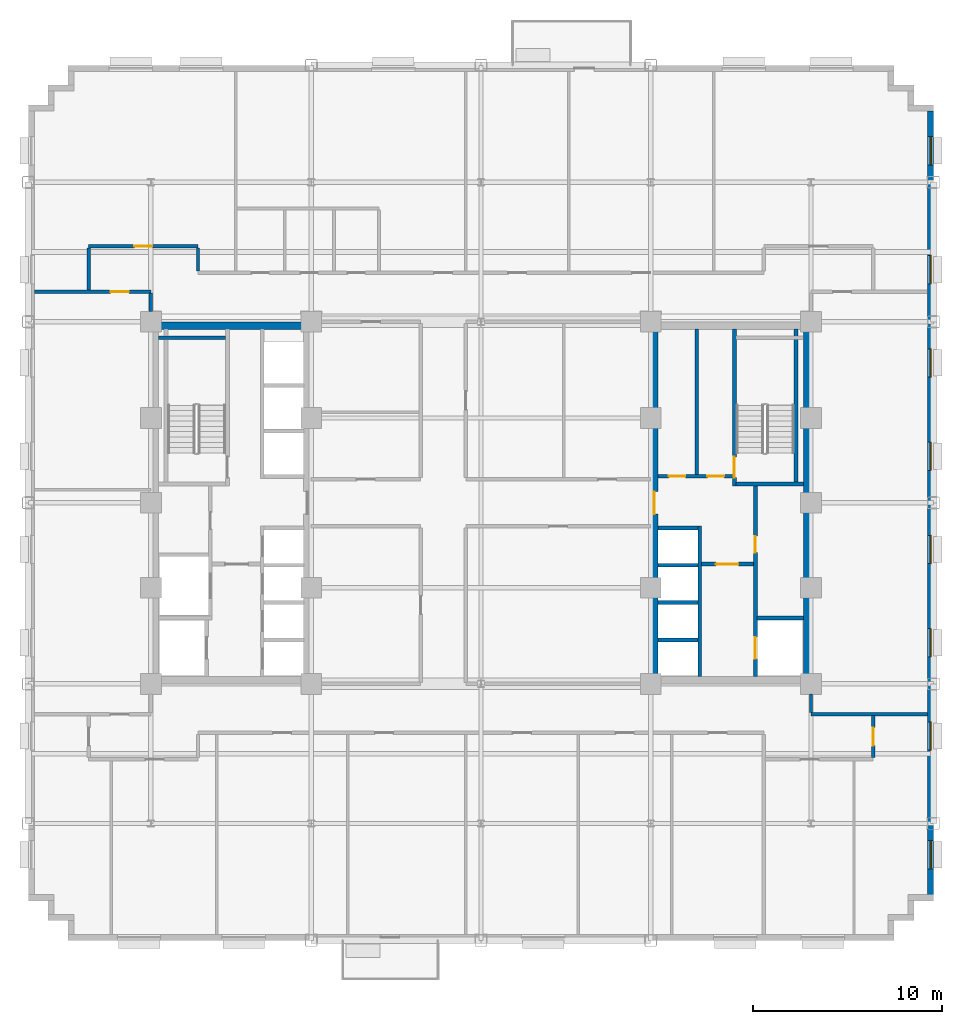
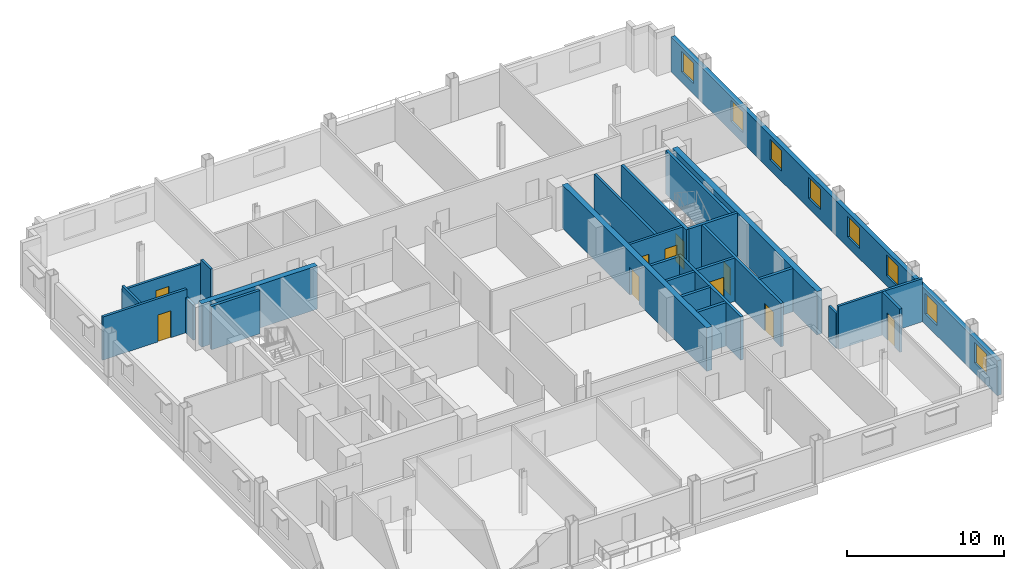
# One storey, part 8 of 14: 26 walls, 10 doors, 8 windows, 18 openings.
"""IFC4 building model written with IfcOpenShell, lengths in metres."""

from ifc_helpers import new_model, si_unit, direction, frame, frame_2d, origin, place, context, subcontext, project, spatial, rectangle, extrude, source, transform, mapped, material, layer, layer_set, type_object, type_shapes, element, fill, save


model = new_model("IFC4")

# Units and contexts
model_context = context("Model", 3, precision=1e-05, world=origin(), true_north=direction((0.0, 1.0)))
body_context = subcontext(model_context, "Body", "Model", "MODEL_VIEW")
ifc_project = project(units=[si_unit("LENGTHUNIT", "METRE"), si_unit("AREAUNIT", "SQUARE_METRE"), si_unit("VOLUMEUNIT", "CUBIC_METRE"), si_unit("PLANEANGLEUNIT", "RADIAN"), si_unit("MASSUNIT", "GRAM", prefix="KILO")], contexts=[model_context])

# Site, building, storey
site_placement = place(None, origin())
site = spatial("IfcSite", under=ifc_project, at=site_placement, CompositionType="ELEMENT")
building_placement = place(site_placement, origin())
building = spatial("IfcBuilding", under=site, at=building_placement, Name="Nuvemarco Arch Tower", CompositionType="ELEMENT")
storey_placement = place(building_placement, frame((0.0, 0.0, 105.60009765625)))
storey = spatial("IfcBuildingStorey", under=building, at=storey_placement, Name="L27", CompositionType="ELEMENT", Elevation=105.60009765625)

# Wall, openings, windows
ifc_material_1 = material(Name="Precast concrete C45/55", Category="concrete")
ifc_layer_1 = layer(ifc_material_1, 0.320068359375, Name="EW-MID-320")
ifc_layer_set_1 = layer_set([ifc_layer_1], Name="Precast concrete C45/55")
wall_type_1 = type_object("IfcWallType", Name="EW-MID-320", PredefinedType="STANDARD", material=ifc_layer_set_1)
wall_1_placement = place(storey_placement, frame((23.840087890625, -20.783935546875, 0.0), z_axis=(0.0, 0.0, 1.0), x_axis=(0.0, 1.0, 0.0)))
wall_1 = element("IfcWall", 1, at=wall_1_placement, inside=storey, type_object=wall_type_1, Name="L27 exterior precast facade wall 6", PredefinedType="STANDARD", context=body_context, shape_type="SweptSolid", body=[
    extrude(rectangle(XDim=41.56787109375, YDim=0.320068359375, at=frame_2d((20.783935546875, 0.0))), origin(), (0.0, 0.0, 1.0), 2.704833984375),
])
opening_1_placement = place(wall_1_placement, frame((1.373046875, 0.0, 0.800048828125)))
opening_1 = element("IfcOpeningElement", 2, at=opening_1_placement, cuts=wall_1, Name="Opening WN-11", PredefinedType="OPENING", context=body_context, shape_type="SweptSolid", body=[
    extrude(rectangle(XDim=1.5, YDim=1.60009765625, at=frame_2d((0.75, 0.800048828125))), frame((0.0, 0.169921875, 0.0), z_axis=(0.0, -1.0, 0.0), x_axis=(1.0, 0.0, 0.0)), (0.0, 0.0, 1.0), 0.340087890625),
])
opening_2_placement = place(wall_1_placement, frame((7.6689453125, 0.0, 0.800048828125)))
opening_2 = element("IfcOpeningElement", 3, at=opening_2_placement, cuts=wall_1, Name="Opening WN-11", PredefinedType="OPENING", context=body_context, shape_type="SweptSolid", body=[
    extrude(rectangle(XDim=1.5, YDim=1.60009765625, at=frame_2d((0.75, 0.800048828125))), frame((0.0, 0.169921875, 0.0), z_axis=(0.0, -1.0, 0.0), x_axis=(1.0, 0.0, 0.0)), (0.0, 0.0, 1.0), 0.340087890625),
])
opening_3_placement = place(wall_1_placement, frame((12.614990234375, 0.0, 0.800048828125)))
opening_3 = element("IfcOpeningElement", 4, at=opening_3_placement, cuts=wall_1, Name="Opening WN-11", PredefinedType="OPENING", context=body_context, shape_type="SweptSolid", body=[
    extrude(rectangle(XDim=1.5, YDim=1.60009765625, at=frame_2d((0.75, 0.800048828125))), frame((0.0, 0.169921875, 0.0), z_axis=(0.0, -1.0, 0.0), x_axis=(1.0, 0.0, 0.0)), (0.0, 0.0, 1.0), 0.340087890625),
])
opening_4_placement = place(wall_1_placement, frame((17.56103515625, 0.0, 0.800048828125)))
opening_4 = element("IfcOpeningElement", 5, at=opening_4_placement, cuts=wall_1, Name="Opening WN-11", PredefinedType="OPENING", context=body_context, shape_type="SweptSolid", body=[
    extrude(rectangle(XDim=1.5, YDim=1.60009765625, at=frame_2d((0.75, 0.800048828125))), frame((0.0, 0.169921875, 0.0), z_axis=(0.0, -1.0, 0.0), x_axis=(1.0, 0.0, 0.0)), (0.0, 0.0, 1.0), 0.340087890625),
])
opening_5_placement = place(wall_1_placement, frame((22.507080078125, 0.0, 0.800048828125)))
opening_5 = element("IfcOpeningElement", 6, at=opening_5_placement, cuts=wall_1, Name="Opening WN-11", PredefinedType="OPENING", context=body_context, shape_type="SweptSolid", body=[
    extrude(rectangle(XDim=1.5, YDim=1.60009765625, at=frame_2d((0.75, 0.800048828125))), frame((0.0, 0.169921875, 0.0), z_axis=(0.0, -1.0, 0.0), x_axis=(1.0, 0.0, 0.0)), (0.0, 0.0, 1.0), 0.340087890625),
])
opening_6_placement = place(wall_1_placement, frame((27.452880859375, 0.0, 0.800048828125)))
opening_6 = element("IfcOpeningElement", 7, at=opening_6_placement, cuts=wall_1, Name="Opening WN-11", PredefinedType="OPENING", context=body_context, shape_type="SweptSolid", body=[
    extrude(rectangle(XDim=1.5, YDim=1.60009765625, at=frame_2d((0.75, 0.800048828125))), frame((0.0, 0.169921875, 0.0), z_axis=(0.0, -1.0, 0.0), x_axis=(1.0, 0.0, 0.0)), (0.0, 0.0, 1.0), 0.340087890625),
])
opening_7_placement = place(wall_1_placement, frame((32.39892578125, 0.0, 0.800048828125)))
opening_7 = element("IfcOpeningElement", 8, at=opening_7_placement, cuts=wall_1, Name="Opening WN-11", PredefinedType="OPENING", context=body_context, shape_type="SweptSolid", body=[
    extrude(rectangle(XDim=1.5, YDim=1.60009765625, at=frame_2d((0.75, 0.800048828125))), frame((0.0, 0.169921875, 0.0), z_axis=(0.0, -1.0, 0.0), x_axis=(1.0, 0.0, 0.0)), (0.0, 0.0, 1.0), 0.340087890625),
])
opening_8_placement = place(wall_1_placement, frame((38.695068359375, 0.0, 0.800048828125)))
opening_8 = element("IfcOpeningElement", 9, at=opening_8_placement, cuts=wall_1, Name="Opening WN-11", PredefinedType="OPENING", context=body_context, shape_type="SweptSolid", body=[
    extrude(rectangle(XDim=1.5, YDim=1.60009765625, at=frame_2d((0.75, 0.800048828125))), frame((0.0, 0.169921875, 0.0), z_axis=(0.0, -1.0, 0.0), x_axis=(1.0, 0.0, 0.0)), (0.0, 0.0, 1.0), 0.340087890625),
])
ifc_material_2 = material(Name="Insulated solar-control glass", Category="glass")
window_type = type_object("IfcWindowType", Name="WN-STEP-1500x1850", PartitioningType="SINGLE_PANEL", PredefinedType="WINDOW", material=ifc_material_2)
shared_shape_1 = source(origin(), body_context, "Body", "SweptSolid", [
    extrude(rectangle(XDim=1.5, YDim=1.60009765625, at=frame_2d((0.75, 0.800048828125))), frame((0.0, 0.030029296875, 0.0), z_axis=(0.0, -1.0, 0.0), x_axis=(1.0, 0.0, 0.0)), (0.0, 0.0, 1.0), 0.06005859375),
])
type_shapes(window_type, [shared_shape_1])
window_1_placement = place(opening_1_placement, origin())
window_1 = element("IfcWindow", 10, at=window_1_placement, inside=storey, type_object=window_type, Name="L27 punched facade window 1", OverallHeight=1.60009765625, OverallWidth=1.5, PartitioningType="SINGLE_PANEL", PredefinedType="WINDOW", context=body_context, shape_type="MappedRepresentation", body=[
    mapped(shared_shape_1, transform((0.0, 0.0, 0.0), scale=1.0)),
])
fill(opening_1, window_1)
window_2_placement = place(opening_2_placement, origin())
window_2 = element("IfcWindow", 11, at=window_2_placement, inside=storey, type_object=window_type, Name="L27 punched facade window 2", OverallHeight=1.60009765625, OverallWidth=1.5, PartitioningType="SINGLE_PANEL", PredefinedType="WINDOW", context=body_context, shape_type="MappedRepresentation", body=[
    mapped(shared_shape_1, transform((0.0, 0.0, 0.0), scale=1.0)),
])
fill(opening_2, window_2)
window_3_placement = place(opening_3_placement, origin())
window_3 = element("IfcWindow", 12, at=window_3_placement, inside=storey, type_object=window_type, Name="L27 punched facade window 3", OverallHeight=1.60009765625, OverallWidth=1.5, PartitioningType="SINGLE_PANEL", PredefinedType="WINDOW", context=body_context, shape_type="MappedRepresentation", body=[
    mapped(shared_shape_1, transform((0.0, 0.0, 0.0), scale=1.0)),
])
fill(opening_3, window_3)
window_4_placement = place(opening_4_placement, origin())
window_4 = element("IfcWindow", 13, at=window_4_placement, inside=storey, type_object=window_type, Name="L27 punched facade window 4", OverallHeight=1.60009765625, OverallWidth=1.5, PartitioningType="SINGLE_PANEL", PredefinedType="WINDOW", context=body_context, shape_type="MappedRepresentation", body=[
    mapped(shared_shape_1, transform((0.0, 0.0, 0.0), scale=1.0)),
])
fill(opening_4, window_4)
window_5_placement = place(opening_5_placement, origin())
window_5 = element("IfcWindow", 14, at=window_5_placement, inside=storey, type_object=window_type, Name="L27 punched facade window 5", OverallHeight=1.60009765625, OverallWidth=1.5, PartitioningType="SINGLE_PANEL", PredefinedType="WINDOW", context=body_context, shape_type="MappedRepresentation", body=[
    mapped(shared_shape_1, transform((0.0, 0.0, 0.0), scale=1.0)),
])
fill(opening_5, window_5)
window_6_placement = place(opening_6_placement, origin())
window_6 = element("IfcWindow", 15, at=window_6_placement, inside=storey, type_object=window_type, Name="L27 punched facade window 6", OverallHeight=1.60009765625, OverallWidth=1.5, PartitioningType="SINGLE_PANEL", PredefinedType="WINDOW", context=body_context, shape_type="MappedRepresentation", body=[
    mapped(shared_shape_1, transform((0.0, 0.0, 0.0), scale=1.0)),
])
fill(opening_6, window_6)
window_7_placement = place(opening_7_placement, origin())
window_7 = element("IfcWindow", 16, at=window_7_placement, inside=storey, type_object=window_type, Name="L27 punched facade window 7", OverallHeight=1.60009765625, OverallWidth=1.5, PartitioningType="SINGLE_PANEL", PredefinedType="WINDOW", context=body_context, shape_type="MappedRepresentation", body=[
    mapped(shared_shape_1, transform((0.0, 0.0, 0.0), scale=1.0)),
])
fill(opening_7, window_7)
window_8_placement = place(opening_8_placement, origin())
window_8 = element("IfcWindow", 17, at=window_8_placement, inside=storey, type_object=window_type, Name="L27 punched facade window 8", OverallHeight=1.60009765625, OverallWidth=1.5, PartitioningType="SINGLE_PANEL", PredefinedType="WINDOW", context=body_context, shape_type="MappedRepresentation", body=[
    mapped(shared_shape_1, transform((0.0, 0.0, 0.0), scale=1.0)),
])
fill(opening_8, window_8)

# Wall
ifc_material_3 = material(Name="Concrete C60/75", Category="concrete")
ifc_layer_2 = layer(ifc_material_3, 0.39990234375, Name="WL-CORE-400")
ifc_layer_set_2 = layer_set([ifc_layer_2], Name="Concrete C60/75")
wall_type_2 = type_object("IfcWallType", Name="WL-CORE-400", PredefinedType="SHEAR", material=ifc_layer_set_2)
wall_2_placement = place(storey_placement, frame((-17.5, 9.39990234375, 0.0), z_axis=(0.0, 0.0, 1.0), x_axis=(1.0, 0.0, 0.0)))
element("IfcWall", 18, at=wall_2_placement, inside=storey, type_object=wall_type_2, Name="L27 W-core shear wall N", PredefinedType="SHEAR", context=body_context, shape_type="SweptSolid", body=[
    extrude(rectangle(XDim=8.5, YDim=0.39990234375, at=frame_2d((4.25, 0.0))), origin(), (0.0, 0.0, 1.0), 3.369873046875),
])

# Wall, opening, door
wall_3_placement = place(storey_placement, frame((9.199951171875, -9.205078125, 0.0), z_axis=(0.0, 0.0, 1.0), x_axis=(0.0, 1.0, 0.0)))
wall_3 = element("IfcWall", 19, at=wall_3_placement, inside=storey, type_object=wall_type_2, Name="L27 E-core shear wall W", PredefinedType="SHEAR", context=body_context, shape_type="SweptSolid", body=[
    extrude(rectangle(XDim=18.41015625, YDim=0.39990234375, at=frame_2d((9.205078125, 0.0))), origin(), (0.0, 0.0, 1.0), 3.369873046875),
])
opening_9_placement = place(wall_3_placement, frame((8.60498046875, 0.0, 0.0)))
opening_9 = element("IfcOpeningElement", 20, at=opening_9_placement, cuts=wall_3, Name="Opening FD-2", PredefinedType="OPENING", context=body_context, shape_type="SweptSolid", body=[
    extrude(rectangle(XDim=1.199951171875, YDim=2.14990234375, at=frame_2d((0.60009765625, 1.074951171875))), frame((0.0, 0.2099609375, 0.0), z_axis=(0.0, -1.0, 0.0), x_axis=(1.0, 0.0, 0.0)), (0.0, 0.0, 1.0), 0.419921875),
])
ifc_material_4 = material(Name="Anodised steel fire door", Category="steel")
door_type_1 = type_object("IfcDoorType", Name="DR-FFLOB-FD", OperationType="NOTDEFINED", PredefinedType="DOOR", material=ifc_material_4)
shared_shape_2 = source(origin(), body_context, "Body", "SweptSolid", [
    extrude(rectangle(XDim=1.199951171875, YDim=2.14990234375, at=frame_2d((0.60009765625, 1.074951171875))), frame((0.0, 0.02490234375, 0.0), z_axis=(0.0, -1.0, 0.0), x_axis=(1.0, 0.0, 0.0)), (0.0, 0.0, 1.0), 0.050048828125),
])
type_shapes(door_type_1, [shared_shape_2])
door_1_placement = place(opening_9_placement, origin())
door_1 = element("IfcDoor", 21, at=door_1_placement, inside=storey, type_object=door_type_1, Name="L27 door FD-L27-ECORE-W", OperationType="SINGLE_SWING_LEFT", OverallHeight=2.14990234375, OverallWidth=1.199951171875, PredefinedType="DOOR", context=body_context, shape_type="MappedRepresentation", body=[
    mapped(shared_shape_2, transform((0.0, 0.0, 0.0), scale=1.0)),
])
fill(opening_9, door_1)

# Wall
wall_4_placement = place(storey_placement, frame((17.300048828125, -9.205078125, 0.0), z_axis=(0.0, 0.0, 1.0), x_axis=(0.0, 1.0, 0.0)))
element("IfcWall", 22, at=wall_4_placement, inside=storey, type_object=wall_type_2, Name="L27 E-core shear wall E", PredefinedType="SHEAR", context=body_context, shape_type="SweptSolid", body=[
    extrude(rectangle(XDim=18.41015625, YDim=0.39990234375, at=frame_2d((9.205078125, 0.0))), origin(), (0.0, 0.0, 1.0), 3.369873046875),
])

# Wall, openings, doors
ifc_material_5 = material(Name="Fire-rated gypsum drywall partition")
ifc_layer_3 = layer(ifc_material_5, 0.179931640625, Name="WL-CORR-180")
ifc_layer_set_3 = layer_set([ifc_layer_3], Name="Fire-rated gypsum drywall partition")
wall_type_3 = type_object("IfcWallType", Name="WL-CORR-180", PredefinedType="PARTITIONING", material=ifc_layer_set_3)
wall_5_placement = place(storey_placement, frame((9.39501953125, 1.39990234375, 0.0), z_axis=(0.0, 0.0, 1.0), x_axis=(1.0, 0.0, 0.0)))
wall_5 = element("IfcWall", 23, at=wall_5_placement, inside=storey, type_object=wall_type_3, Name="L27 interior wall IW-L27-EK-S", PredefinedType="PARTITIONING", context=body_context, shape_type="SweptSolid", body=[
    extrude(rectangle(XDim=3.949951171875, YDim=0.179931640625, at=frame_2d((1.97509765625, 0.0))), origin(), (0.0, 0.0, 1.0), 3.35986328125),
])
opening_10_placement = place(wall_5_placement, frame((0.56494140625, 0.0, 0.0)))
opening_10 = element("IfcOpeningElement", 24, at=opening_10_placement, cuts=wall_5, Name="Opening FD-4", PredefinedType="OPENING", context=body_context, shape_type="SweptSolid", body=[
    extrude(rectangle(XDim=0.8798828125, YDim=2.10009765625, at=frame_2d((0.43994140625, 1.050048828125))), frame((0.0, 0.099853515625, 0.0), z_axis=(0.0, -1.0, 0.0), x_axis=(1.0, 0.0, 0.0)), (0.0, 0.0, 1.0), 0.199951171875),
])
opening_11_placement = place(wall_5_placement, frame((2.614990234375, 0.0, 0.0)))
opening_11 = element("IfcOpeningElement", 25, at=opening_11_placement, cuts=wall_5, Name="Opening FD-4", PredefinedType="OPENING", context=body_context, shape_type="SweptSolid", body=[
    extrude(rectangle(XDim=0.8798828125, YDim=2.10009765625, at=frame_2d((0.43994140625, 1.050048828125))), frame((0.0, 0.099853515625, 0.0), z_axis=(0.0, -1.0, 0.0), x_axis=(1.0, 0.0, 0.0)), (0.0, 0.0, 1.0), 0.199951171875),
])
door_type_2 = type_object("IfcDoorType", Name="DR-RISER-FD", OperationType="NOTDEFINED", PredefinedType="DOOR", material=ifc_material_4)
shared_shape_3 = source(origin(), body_context, "Body", "SweptSolid", [
    extrude(rectangle(XDim=0.8798828125, YDim=2.10009765625, at=frame_2d((0.43994140625, 1.050048828125))), frame((0.0, 0.02490234375, 0.0), z_axis=(0.0, -1.0, 0.0), x_axis=(1.0, 0.0, 0.0)), (0.0, 0.0, 1.0), 0.050048828125),
])
type_shapes(door_type_2, [shared_shape_3])
door_2_placement = place(opening_10_placement, origin())
door_2 = element("IfcDoor", 26, at=door_2_placement, inside=storey, type_object=door_type_2, Name="L27 door FD-L27-EK2A", OperationType="SINGLE_SWING_RIGHT", OverallHeight=2.10009765625, OverallWidth=0.8798828125, PredefinedType="DOOR", context=body_context, shape_type="MappedRepresentation", body=[
    mapped(shared_shape_3, transform((0.0, 0.0, 0.0), scale=1.0)),
])
fill(opening_10, door_2)
door_3_placement = place(opening_11_placement, origin())
door_3 = element("IfcDoor", 27, at=door_3_placement, inside=storey, type_object=door_type_2, Name="L27 door FD-L27-EK2B", OperationType="SINGLE_SWING_LEFT", OverallHeight=2.10009765625, OverallWidth=0.8798828125, PredefinedType="DOOR", context=body_context, shape_type="MappedRepresentation", body=[
    mapped(shared_shape_3, transform((0.0, 0.0, 0.0), scale=1.0)),
])
fill(opening_11, door_3)

# Walls
wall_6_placement = place(storey_placement, frame((11.449951171875, 1.489990234375, 0.0), z_axis=(0.0, 0.0, 1.0), x_axis=(0.0, 1.0, 0.0)))
element("IfcWall", 28, at=wall_6_placement, inside=storey, type_object=wall_type_3, Name="L27 interior wall IW-L27-EK2", PredefinedType="PARTITIONING", context=body_context, shape_type="SweptSolid", body=[
    extrude(rectangle(XDim=7.715087890625, YDim=0.179931640625, at=frame_2d((3.857421875, 0.0))), origin(), (0.0, 0.0, 1.0), 3.35986328125),
])
wall_7_placement = place(storey_placement, frame((17.5, -11.199951171875, 0.0), z_axis=(0.0, 0.0, 1.0), x_axis=(1.0, 0.0, 0.0)))
element("IfcWall", 29, at=wall_7_placement, inside=storey, type_object=wall_type_3, Name="L27 interior wall IW-L27-005", PredefinedType="PARTITIONING", context=body_context, shape_type="SweptSolid", body=[
    extrude(rectangle(XDim=6.179931640625, YDim=0.179931640625, at=frame_2d((3.08984375, 0.0))), origin(), (0.0, 0.0, 1.0), 3.35986328125),
])

# Wall, opening, door
wall_8_placement = place(storey_placement, frame((-23.679931640625, 11.199951171875, 0.0), z_axis=(0.0, 0.0, 1.0), x_axis=(1.0, 0.0, 0.0)))
wall_8 = element("IfcWall", 30, at=wall_8_placement, inside=storey, type_object=wall_type_3, Name="L27 interior wall IW-L27-018", PredefinedType="PARTITIONING", context=body_context, shape_type="SweptSolid", body=[
    extrude(rectangle(XDim=6.179931640625, YDim=0.179931640625, at=frame_2d((3.08984375, 0.0))), origin(), (0.0, 0.0, 1.0), 3.35986328125),
])
opening_12_placement = place(wall_8_placement, frame((4.050048828125, 0.0, 0.0)))
opening_12 = element("IfcOpeningElement", 31, at=opening_12_placement, cuts=wall_8, Name="Opening FD-5", PredefinedType="OPENING", context=body_context, shape_type="SweptSolid", body=[
    extrude(rectangle(XDim=0.9599609375, YDim=2.10009765625, at=frame_2d((0.47998046875, 1.050048828125))), frame((0.0, 0.099853515625, 0.0), z_axis=(0.0, -1.0, 0.0), x_axis=(1.0, 0.0, 0.0)), (0.0, 0.0, 1.0), 0.199951171875),
])
ifc_material_6 = material(Name="Timber fire door", Category="wood")
door_type_3 = type_object("IfcDoorType", Name="DR-CORR-FD", OperationType="NOTDEFINED", PredefinedType="DOOR", material=ifc_material_6)
shared_shape_4 = source(origin(), body_context, "Body", "SweptSolid", [
    extrude(rectangle(XDim=0.9599609375, YDim=2.10009765625, at=frame_2d((0.47998046875, 1.050048828125))), frame((0.0, 0.02490234375, 0.0), z_axis=(0.0, -1.0, 0.0), x_axis=(1.0, 0.0, 0.0)), (0.0, 0.0, 1.0), 0.050048828125),
])
type_shapes(door_type_3, [shared_shape_4])
door_4_placement = place(opening_12_placement, origin())
door_4 = element("IfcDoor", 32, at=door_4_placement, inside=storey, type_object=door_type_3, Name="L27 door DR-L27-W_2", OperationType="SINGLE_SWING_RIGHT", OverallHeight=2.10009765625, OverallWidth=0.9599609375, PredefinedType="DOOR", context=body_context, shape_type="MappedRepresentation", body=[
    mapped(shared_shape_4, transform((0.0, 0.0, 0.0), scale=1.0)),
])
fill(opening_12, door_4)

wall_9_placement = place(storey_placement, frame((-20.800048828125, 13.60009765625, 0.0), z_axis=(0.0, 0.0, 1.0), x_axis=(1.0, 0.0, 0.0)))
wall_9 = element("IfcWall", 33, at=wall_9_placement, inside=storey, type_object=wall_type_3, Name="L27 interior wall IW-L27-021", PredefinedType="PARTITIONING", context=body_context, shape_type="SweptSolid", body=[
    extrude(rectangle(XDim=5.800048828125, YDim=0.179931640625, at=frame_2d((2.89990234375, 0.0))), origin(), (0.0, 0.0, 1.0), 2.997802734375),
])
opening_13_placement = place(wall_9_placement, frame((2.419921875, 0.0, 0.0)))
opening_13 = element("IfcOpeningElement", 34, at=opening_13_placement, cuts=wall_9, Name="Opening FD-5", PredefinedType="OPENING", context=body_context, shape_type="SweptSolid", body=[
    extrude(rectangle(XDim=0.9599609375, YDim=2.10009765625, at=frame_2d((0.47998046875, 1.050048828125))), frame((0.0, 0.099853515625, 0.0), z_axis=(0.0, -1.0, 0.0), x_axis=(1.0, 0.0, 0.0)), (0.0, 0.0, 1.0), 0.199951171875),
])
door_5_placement = place(opening_13_placement, origin())
door_5 = element("IfcDoor", 35, at=door_5_placement, inside=storey, type_object=door_type_3, Name="L27 door DR-L27-N_1", OperationType="SINGLE_SWING_RIGHT", OverallHeight=2.10009765625, OverallWidth=0.9599609375, PredefinedType="DOOR", context=body_context, shape_type="MappedRepresentation", body=[
    mapped(shared_shape_4, transform((0.0, 0.0, 0.0), scale=1.0)),
])
fill(opening_13, door_5)

# Walls
wall_10_placement = place(storey_placement, frame((-20.800048828125, 11.285888671875, 0.0), z_axis=(0.0, 0.0, 1.0), x_axis=(0.0, 1.0, 0.0)))
element("IfcWall", 36, at=wall_10_placement, inside=storey, type_object=wall_type_3, Name="L27 interior wall IW-L27-025", PredefinedType="PARTITIONING", context=body_context, shape_type="SweptSolid", body=[
    extrude(rectangle(XDim=2.22802734375, YDim=0.179931640625, at=frame_2d((1.114013671875, 0.0))), origin(), (0.0, 0.0, 1.0), 3.35986328125),
])
wall_11_placement = place(storey_placement, frame((-17.5, 10.14599609375, 0.0), z_axis=(0.0, 0.0, 1.0), x_axis=(0.0, 1.0, 0.0)))
element("IfcWall", 37, at=wall_11_placement, inside=storey, type_object=wall_type_3, Name="L27 interior wall IW-L27-028", PredefinedType="PARTITIONING", context=body_context, shape_type="SweptSolid", body=[
    extrude(rectangle(XDim=0.968017578125, YDim=0.179931640625, at=frame_2d((0.48388671875, 0.0))), origin(), (0.0, 0.0, 1.0), 2.73779296875),
])
wall_12_placement = place(storey_placement, frame((-15.0, 12.285888671875, 0.0), z_axis=(0.0, 0.0, 1.0), x_axis=(0.0, 1.0, 0.0)))
element("IfcWall", 38, at=wall_12_placement, inside=storey, type_object=wall_type_3, Name="L27 interior wall IW-L27-030", PredefinedType="PARTITIONING", context=body_context, shape_type="SweptSolid", body=[
    extrude(rectangle(XDim=1.22802734375, YDim=0.179931640625, at=frame_2d((0.614013671875, 0.0))), origin(), (0.0, 0.0, 1.0), 3.35986328125),
])
wall_13_placement = place(storey_placement, frame((17.5, -11.114013671875, 0.0), z_axis=(0.0, 0.0, 1.0), x_axis=(0.0, 1.0, 0.0)))
element("IfcWall", 39, at=wall_13_placement, inside=storey, type_object=wall_type_3, Name="L27 interior wall IW-L27-050", PredefinedType="PARTITIONING", context=body_context, shape_type="SweptSolid", body=[
    extrude(rectangle(XDim=0.968017578125, YDim=0.179931640625, at=frame_2d((0.48388671875, 0.0))), origin(), (0.0, 0.0, 1.0), 2.73779296875),
])

# Wall, opening, door
wall_14_placement = place(storey_placement, frame((20.800048828125, -13.513916015625, 0.0), z_axis=(0.0, 0.0, 1.0), x_axis=(0.0, 1.0, 0.0)))
wall_14 = element("IfcWall", 40, at=wall_14_placement, inside=storey, type_object=wall_type_3, Name="L27 interior wall IW-L27-053", PredefinedType="PARTITIONING", context=body_context, shape_type="SweptSolid", body=[
    extrude(rectangle(XDim=2.22802734375, YDim=0.179931640625, at=frame_2d((1.114013671875, 0.0))), origin(), (0.0, 0.0, 1.0), 3.35986328125),
])
opening_14_placement = place(wall_14_placement, frame((0.634033203125, 0.0, 0.0)))
opening_14 = element("IfcOpeningElement", 41, at=opening_14_placement, cuts=wall_14, Name="Opening FD-5", PredefinedType="OPENING", context=body_context, shape_type="SweptSolid", body=[
    extrude(rectangle(XDim=0.9599609375, YDim=2.10009765625, at=frame_2d((0.47998046875, 1.050048828125))), frame((0.0, 0.099853515625, 0.0), z_axis=(0.0, -1.0, 0.0), x_axis=(1.0, 0.0, 0.0)), (0.0, 0.0, 1.0), 0.199951171875),
])
door_6_placement = place(opening_14_placement, origin())
door_6 = element("IfcDoor", 42, at=door_6_placement, inside=storey, type_object=door_type_3, Name="L27 door DR-L27-S_9", OperationType="SINGLE_SWING_LEFT", OverallHeight=2.10009765625, OverallWidth=0.9599609375, PredefinedType="DOOR", context=body_context, shape_type="MappedRepresentation", body=[
    mapped(shared_shape_4, transform((0.0, 0.0, 0.0), scale=1.0)),
])
fill(opening_14, door_6)

# Wall
ifc_material_7 = material(Name="Concrete C50/60", Category="concrete")
ifc_layer_4 = layer(ifc_material_7, 0.199951171875, Name="WL-SHAFT-220")
ifc_layer_set_4 = layer_set([ifc_layer_4], Name="Concrete C50/60")
wall_type_4 = type_object("IfcWallType", Name="WL-SHAFT-220", PredefinedType="SHEAR", material=ifc_layer_set_4)
wall_15_placement = place(storey_placement, frame((-17.10498046875, 8.75, 0.0), z_axis=(0.0, 0.0, 1.0), x_axis=(1.0, 0.0, 0.0)))
element("IfcWall", 43, at=wall_15_placement, inside=storey, type_object=wall_type_4, Name="L27 structural shaft wall SW-L27-W-ST1N", PredefinedType="SHEAR", context=body_context, shape_type="SweptSolid", body=[
    extrude(rectangle(XDim=3.570068359375, YDim=0.199951171875, at=frame_2d((1.78515625, 0.0))), origin(), (0.0, 0.0, 1.0), 3.369873046875),
])

# Wall, opening, door
wall_16_placement = place(storey_placement, frame((13.43994140625, 0.89990234375, 0.0), z_axis=(0.0, 0.0, 1.0), x_axis=(0.0, 1.0, 0.0)))
wall_16 = element("IfcWall", 44, at=wall_16_placement, inside=storey, type_object=wall_type_4, Name="L27 structural shaft wall SW-L27-E-ST2W", PredefinedType="SHEAR", context=body_context, shape_type="SweptSolid", body=[
    extrude(rectangle(XDim=8.30517578125, YDim=0.199951171875, at=frame_2d((4.152587890625, 0.0))), origin(), (0.0, 0.0, 1.0), 3.369873046875),
])
opening_15_placement = place(wall_16_placement, frame((0.429931640625, 0.0, 0.0)))
opening_15 = element("IfcOpeningElement", 45, at=opening_15_placement, cuts=wall_16, Name="Opening FD-1", PredefinedType="OPENING", context=body_context, shape_type="SweptSolid", body=[
    extrude(rectangle(XDim=1.10009765625, YDim=2.14990234375, at=frame_2d((0.550048828125, 1.074951171875))), frame((0.0, 0.10986328125, 0.0), z_axis=(0.0, -1.0, 0.0), x_axis=(1.0, 0.0, 0.0)), (0.0, 0.0, 1.0), 0.219970703125),
])
door_type_4 = type_object("IfcDoorType", Name="DR-STAIR-FD", OperationType="NOTDEFINED", PredefinedType="DOOR", material=ifc_material_4)
shared_shape_5 = source(origin(), body_context, "Body", "SweptSolid", [
    extrude(rectangle(XDim=1.10009765625, YDim=2.14990234375, at=frame_2d((0.550048828125, 1.074951171875))), frame((0.0, 0.02490234375, 0.0), z_axis=(0.0, -1.0, 0.0), x_axis=(1.0, 0.0, 0.0)), (0.0, 0.0, 1.0), 0.050048828125),
])
type_shapes(door_type_4, [shared_shape_5])
door_7_placement = place(opening_15_placement, origin())
door_7 = element("IfcDoor", 46, at=door_7_placement, inside=storey, type_object=door_type_4, Name="L27 door FD-L27-ST2", OperationType="SINGLE_SWING_LEFT", OverallHeight=2.14990234375, OverallWidth=1.10009765625, PredefinedType="DOOR", context=body_context, shape_type="MappedRepresentation", body=[
    mapped(shared_shape_5, transform((0.0, 0.0, 0.0), scale=1.0)),
])
fill(opening_15, door_7)

# Walls
wall_17_placement = place(storey_placement, frame((13.534912109375, 1.0, 0.0), z_axis=(0.0, 0.0, 1.0), x_axis=(1.0, 0.0, 0.0)))
element("IfcWall", 47, at=wall_17_placement, inside=storey, type_object=wall_type_4, Name="L27 structural shaft wall SW-L27-E-ST2S", PredefinedType="SHEAR", context=body_context, shape_type="SweptSolid", body=[
    extrude(rectangle(XDim=3.570068359375, YDim=0.199951171875, at=frame_2d((1.78515625, 0.0))), origin(), (0.0, 0.0, 1.0), 3.369873046875),
])
wall_18_placement = place(storey_placement, frame((16.699951171875, 1.094970703125, 0.0), z_axis=(0.0, 0.0, 1.0), x_axis=(0.0, 1.0, 0.0)))
element("IfcWall", 48, at=wall_18_placement, inside=storey, type_object=wall_type_4, Name="L27 structural shaft wall SW-L27-E-ST2E", PredefinedType="SHEAR", context=body_context, shape_type="SweptSolid", body=[
    extrude(rectangle(XDim=8.110107421875, YDim=0.199951171875, at=frame_2d((4.05517578125, 0.0))), origin(), (0.0, 0.0, 1.0), 3.369873046875),
])

# Wall, openings, doors
wall_19_placement = place(storey_placement, frame((14.550048828125, -9.205078125, 0.0), z_axis=(0.0, 0.0, 1.0), x_axis=(0.0, 1.0, 0.0)))
wall_19 = element("IfcWall", 49, at=wall_19_placement, inside=storey, type_object=wall_type_4, Name="L27 structural shaft wall SW-L27-E-SHW", PredefinedType="SHEAR", context=body_context, shape_type="SweptSolid", body=[
    extrude(rectangle(XDim=10.110107421875, YDim=0.199951171875, at=frame_2d((5.05517578125, 0.0))), origin(), (0.0, 0.0, 1.0), 3.369873046875),
])
opening_16_placement = place(wall_19_placement, frame((6.56494140625, 0.0, 0.0)))
opening_16 = element("IfcOpeningElement", 50, at=opening_16_placement, cuts=wall_19, Name="Opening FD-4", PredefinedType="OPENING", context=body_context, shape_type="SweptSolid", body=[
    extrude(rectangle(XDim=0.8798828125, YDim=2.10009765625, at=frame_2d((0.43994140625, 1.050048828125))), frame((0.0, 0.10986328125, 0.0), z_axis=(0.0, -1.0, 0.0), x_axis=(1.0, 0.0, 0.0)), (0.0, 0.0, 1.0), 0.219970703125),
])
opening_17_placement = place(wall_19_placement, frame((0.929931640625, 0.0, 0.0)))
opening_17 = element("IfcOpeningElement", 51, at=opening_17_placement, cuts=wall_19, Name="Opening LD-2", PredefinedType="OPENING", context=body_context, shape_type="SweptSolid", body=[
    extrude(rectangle(XDim=1.14990234375, YDim=2.14990234375, at=frame_2d((0.574951171875, 1.074951171875))), frame((0.0, 0.10986328125, 0.0), z_axis=(0.0, -1.0, 0.0), x_axis=(1.0, 0.0, 0.0)), (0.0, 0.0, 1.0), 0.219970703125),
])
door_8_placement = place(opening_16_placement, origin())
door_8 = element("IfcDoor", 52, at=door_8_placement, inside=storey, type_object=door_type_2, Name="L27 door FD-L27-ERIS", OperationType="SINGLE_SWING_LEFT", OverallHeight=2.10009765625, OverallWidth=0.8798828125, PredefinedType="DOOR", context=body_context, shape_type="MappedRepresentation", body=[
    mapped(shared_shape_3, transform((0.0, 0.0, 0.0), scale=1.0)),
])
fill(opening_16, door_8)
ifc_material_8 = material(Name="Stainless steel lift door", Category="steel")
door_type_5 = type_object("IfcDoorType", Name="DR-LIFT-FIRE", OperationType="DOUBLE_DOOR_SLIDING", PredefinedType="DOOR", material=ifc_material_8)
shared_shape_6 = source(origin(), body_context, "Body", "SweptSolid", [
    extrude(rectangle(XDim=1.14990234375, YDim=2.14990234375, at=frame_2d((0.574951171875, 1.074951171875))), frame((0.0, 0.02490234375, 0.0), z_axis=(0.0, -1.0, 0.0), x_axis=(1.0, 0.0, 0.0)), (0.0, 0.0, 1.0), 0.050048828125),
])
type_shapes(door_type_5, [shared_shape_6])
door_9_placement = place(opening_17_placement, origin())
door_9 = element("IfcDoor", 53, at=door_9_placement, inside=storey, type_object=door_type_5, Name="L27 Lift landing sliding door FFL-2", OperationType="DOUBLE_DOOR_SLIDING", OverallHeight=2.14990234375, OverallWidth=1.14990234375, PredefinedType="DOOR", context=body_context, shape_type="MappedRepresentation", body=[
    mapped(shared_shape_6, transform((0.0, 0.0, 0.0), scale=1.0)),
])
fill(opening_17, door_9)

# Walls
wall_20_placement = place(storey_placement, frame((14.64501953125, -6.10009765625, 0.0), z_axis=(0.0, 0.0, 1.0), x_axis=(1.0, 0.0, 0.0)))
element("IfcWall", 54, at=wall_20_placement, inside=storey, type_object=wall_type_4, Name="L27 structural shaft wall SW-L27-E-SH1", PredefinedType="SHEAR", context=body_context, shape_type="SweptSolid", body=[
    extrude(rectangle(XDim=2.4599609375, YDim=0.199951171875, at=frame_2d((1.22998046875, 0.0))), origin(), (0.0, 0.0, 1.0), 3.369873046875),
])
wall_21_placement = place(storey_placement, frame((11.60009765625, -9.205078125, 0.0), z_axis=(0.0, 0.0, 1.0), x_axis=(0.0, 1.0, 0.0)))
element("IfcWall", 55, at=wall_21_placement, inside=storey, type_object=wall_type_4, Name="L27 structural shaft wall SW-L27-E-PME", PredefinedType="SHEAR", context=body_context, shape_type="SweptSolid", body=[
    extrude(rectangle(XDim=7.97509765625, YDim=0.199951171875, at=frame_2d((3.987548828125, 0.0))), origin(), (0.0, 0.0, 1.0), 3.369873046875),
])

# Wall, opening, door
wall_22_placement = place(storey_placement, frame((11.695068359375, -3.25, 0.0), z_axis=(0.0, 0.0, 1.0), x_axis=(1.0, 0.0, 0.0)))
wall_22 = element("IfcWall", 56, at=wall_22_placement, inside=storey, type_object=wall_type_4, Name="L27 structural shaft wall SW-L27-E-FFN", PredefinedType="SHEAR", context=body_context, shape_type="SweptSolid", body=[
    extrude(rectangle(XDim=2.760009765625, YDim=0.199951171875, at=frame_2d((1.3798828125, 0.0))), origin(), (0.0, 0.0, 1.0), 3.369873046875),
])
opening_18_placement = place(wall_22_placement, frame((0.7548828125, 0.0, 0.0)))
opening_18 = element("IfcOpeningElement", 57, at=opening_18_placement, cuts=wall_22, Name="Opening FD-2", PredefinedType="OPENING", context=body_context, shape_type="SweptSolid", body=[
    extrude(rectangle(XDim=1.199951171875, YDim=2.14990234375, at=frame_2d((0.60009765625, 1.074951171875))), frame((0.0, 0.10986328125, 0.0), z_axis=(0.0, -1.0, 0.0), x_axis=(1.0, 0.0, 0.0)), (0.0, 0.0, 1.0), 0.219970703125),
])
door_10_placement = place(opening_18_placement, origin())
door_10 = element("IfcDoor", 58, at=door_10_placement, inside=storey, type_object=door_type_1, Name="L27 door FD-L27-EFF2", OperationType="SINGLE_SWING_LEFT", OverallHeight=2.14990234375, OverallWidth=1.199951171875, PredefinedType="DOOR", context=body_context, shape_type="MappedRepresentation", body=[
    mapped(shared_shape_2, transform((0.0, 0.0, 0.0), scale=1.0)),
])
fill(opening_18, door_10)

# Walls
for number, where, z_axis, x_axis, name in (
    (59, (9.39501953125, -7.27001953125, 0.0), (0.0, 0.0, 1.0), (1.0, 0.0, 0.0), "L27 structural shaft wall SW-L27-E-PMD1"),
    (60, (9.39501953125, -5.2900390625, 0.0), (0.0, 0.0, 1.0), (1.0, 0.0, 0.0), "L27 structural shaft wall SW-L27-E-PMD2"),
    (61, (9.39501953125, -3.31005859375, 0.0), (0.0, 0.0, 1.0), (1.0, 0.0, 0.0), "L27 structural shaft wall SW-L27-E-PMD3"),
    (62, (9.39501953125, -1.330078125, 0.0), (0.0, 0.0, 1.0), (1.0, 0.0, 0.0), "L27 structural shaft wall SW-L27-E-PMD4"),
):
    element("IfcWall", number, at=place(storey_placement, frame(where, z_axis=z_axis, x_axis=x_axis)), inside=storey, type_object=wall_type_4, Name=name, PredefinedType="SHEAR", context=body_context, shape_type="SweptSolid", body=[
        extrude(rectangle(XDim=2.10986328125, YDim=0.199951171875, at=frame_2d((1.054931640625, 0.0))), origin(), (0.0, 0.0, 1.0), 3.369873046875),
    ])

save(model, "model.ifc")
